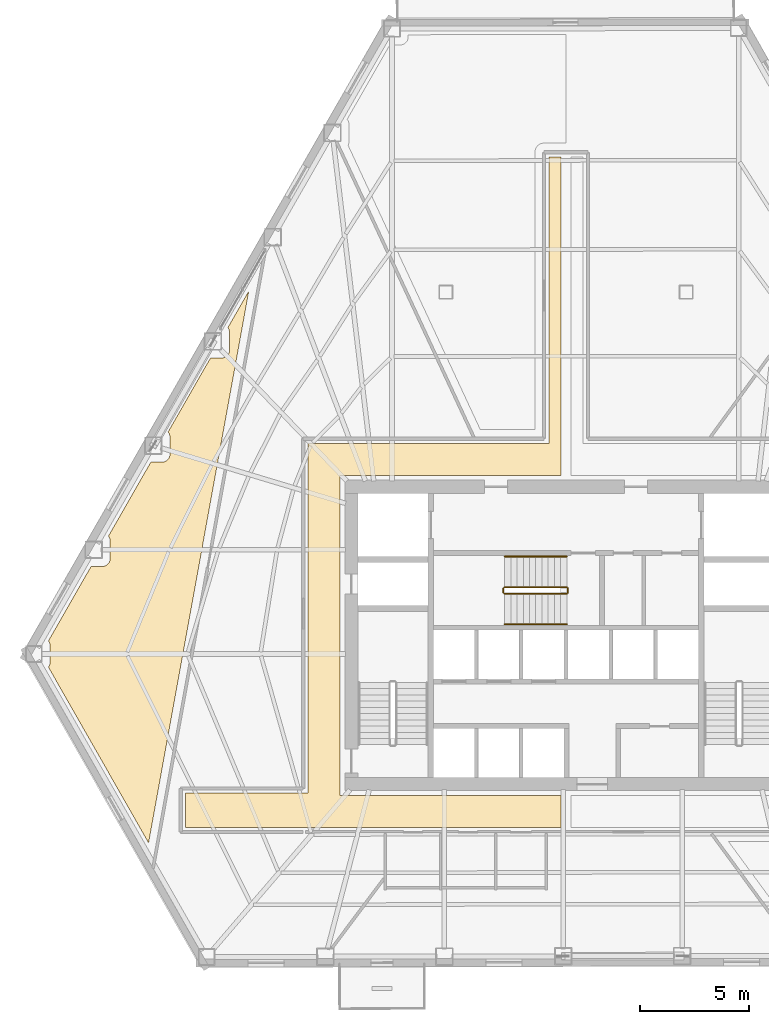
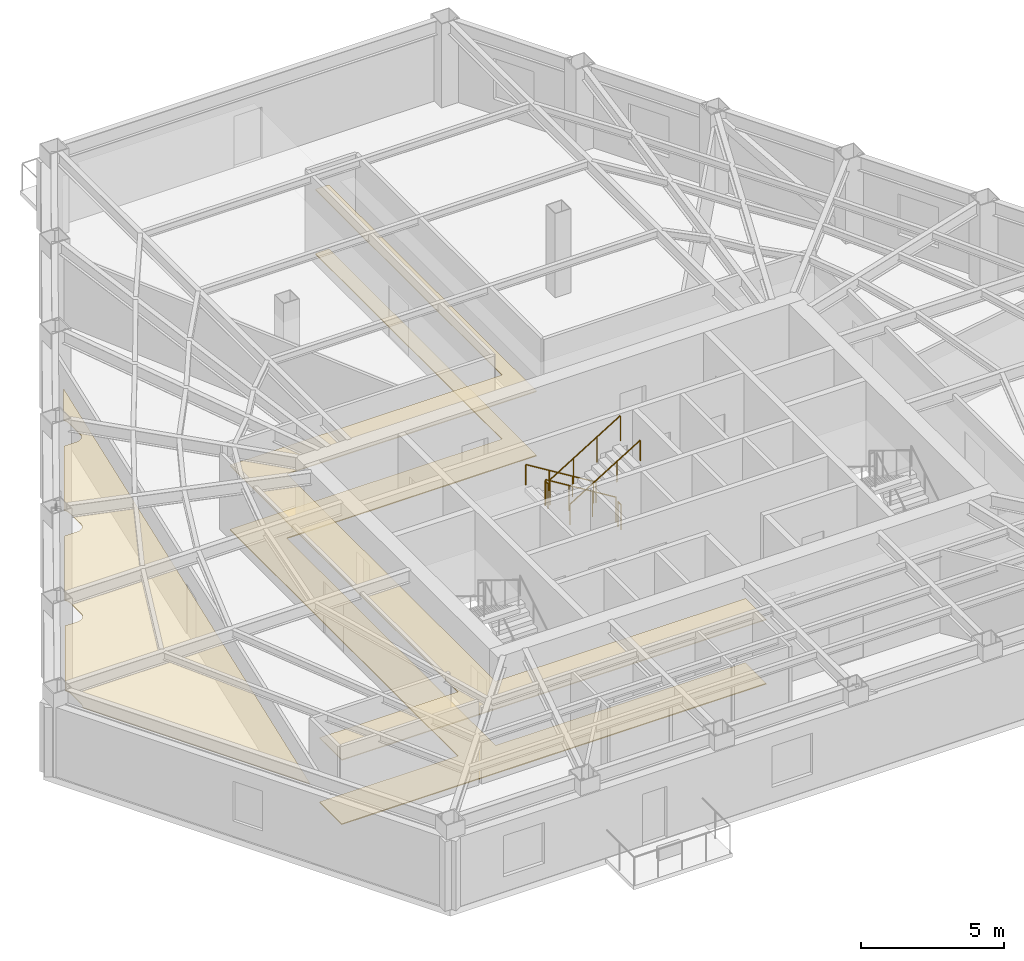
# One storey, part 12 of 14: 6 railings, 3 coverings.
"""IFC4 building model written with IfcOpenShell, lengths in metres."""

from ifc_helpers import new_model, si_unit, direction, frame, origin, origin_2d, place, context, subcontext, project, spatial, polyline, circle, outline, extrude, material, layer, layer_set, type_object, element, save


model = new_model("IFC4")

# Units and contexts
model_context = context("Model", 3, precision=1e-05, world=origin(), true_north=direction((0.0, 1.0)))
body_context = subcontext(model_context, "Body", "Model", "MODEL_VIEW")
ifc_project = project(units=[si_unit("LENGTHUNIT", "METRE"), si_unit("AREAUNIT", "SQUARE_METRE"), si_unit("VOLUMEUNIT", "CUBIC_METRE"), si_unit("PLANEANGLEUNIT", "RADIAN"), si_unit("MASSUNIT", "GRAM", prefix="KILO")], contexts=[model_context])

# Site, building, storey
site_placement = place(None, origin())
site = spatial("IfcSite", under=ifc_project, at=site_placement, CompositionType="ELEMENT")
building_placement = place(site_placement, origin())
building = spatial("IfcBuilding", under=site, at=building_placement, Name="Kavelnor Concourse Tower", CompositionType="ELEMENT")
storey_placement = place(building_placement, frame((0.0, 0.0, 17.550048828125)))
storey = spatial("IfcBuildingStorey", under=building, at=storey_placement, Name="L04", CompositionType="ELEMENT", Elevation=17.550048828125)

# Coverings
ifc_material_1 = material(Name="Mineral fibre acoustic ceiling tile")
ifc_layer_1 = layer(ifc_material_1, 0.0400390625, Name="Mineral fibre acoustic ceiling tile")
ifc_layer_set_1 = layer_set([ifc_layer_1], Name="Mineral fibre acoustic ceiling tile")
covering_type_1 = type_object("IfcCoveringType", Name="COV-CEILING-ACOUSTIC", PredefinedType="CEILING", material=ifc_layer_set_1)
covering_1_placement = place(storey_placement, frame((0.0, 0.0, 2.75)))
element("IfcCovering", 1, at=covering_1_placement, inside=storey, type_object=covering_type_1, Name="L04 Suspended Acoustic Ceiling", PredefinedType="CEILING", context=body_context, shape_type="SweptSolid", body=[
    extrude(outline(polyline([(37.219970703125, 37.97998046875), (37.77490234375, 37.97998046875), (37.77490234375, 23.419921875), (27.659912109375, 23.419921875), (27.659912109375, 8.780029296875), (37.77490234375, 8.780029296875), (37.77490234375, 7.320068359375), (20.593505859375, 7.320068359375), (20.593505859375, 8.8798828125), (26.199951171875, 8.8798828125), (26.199951171875, 24.8798828125), (37.219970703125, 24.8798828125), (37.219970703125, 37.97998046875)])), origin(), (0.0, 0.0, 1.0), 0.0400390625),
])
covering_2_placement = place(storey_placement, frame((0.0, 0.0, 2.75)))
element("IfcCovering", 2, at=covering_2_placement, inside=storey, type_object=covering_type_1, Name="L04 Suspended Acoustic Ceiling", PredefinedType="CEILING", context=body_context, shape_type="SweptSolid", body=[
    extrude(outline(polyline([(14.3369140625, 14.67041015625), (14.35498046875, 14.70068359375), (14.3701171875, 14.732666015625), (14.382080078125, 14.765869140625), (14.390625, 14.80029296875), (14.395751953125, 14.835205078125), (14.397216796875, 14.8623046875), (14.397216796875, 15.638916015625), (14.395751953125, 15.665771484375), (14.390625, 15.70068359375), (14.382080078125, 15.735107421875), (14.3701171875, 15.768310546875), (14.35498046875, 15.80029296875), (14.3369140625, 15.830810546875), (14.322998046875, 15.849609375), (16.275390625, 19.258056640625), (16.796142578125, 19.258056640625), (16.8232421875, 19.25927734375), (16.858154296875, 19.264404296875), (16.892578125, 19.273193359375), (16.92578125, 19.284912109375), (16.957763671875, 19.300048828125), (16.988037109375, 19.318359375), (17.0166015625, 19.33935546875), (17.042724609375, 19.36328125), (17.06640625, 19.389404296875), (17.087646484375, 19.417724609375), (17.105712890625, 19.447998046875), (17.120849609375, 19.47998046875), (17.1328125, 19.513427734375), (17.141357421875, 19.547607421875), (17.146484375, 19.582763671875), (17.14794921875, 19.609619140625), (17.14794921875, 20.42626953125), (17.146484375, 20.453369140625), (17.141357421875, 20.48828125), (17.1328125, 20.522705078125), (17.120849609375, 20.555908203125), (17.105712890625, 20.587890625), (17.087646484375, 20.6181640625), (17.06884765625, 20.6435546875), (19.006103515625, 24.025390625), (19.527099609375, 24.025390625), (19.553955078125, 24.02685546875), (19.589111328125, 24.031982421875), (19.623291015625, 24.04052734375), (19.656494140625, 24.052490234375), (19.688720703125, 24.067626953125), (19.718994140625, 24.085693359375), (19.747314453125, 24.10693359375), (19.7734375, 24.130615234375), (19.79736328125, 24.156982421875), (19.818359375, 24.185302734375), (19.836669921875, 24.215576171875), (19.851806640625, 24.24755859375), (19.863525390625, 24.281005859375), (19.872314453125, 24.315185546875), (19.87744140625, 24.35009765625), (19.878662109375, 24.377197265625), (19.878662109375, 25.19384765625), (19.87744140625, 25.220703125), (19.872314453125, 25.255859375), (19.863525390625, 25.2900390625), (19.851806640625, 25.323486328125), (19.836669921875, 25.35546875), (19.818359375, 25.3857421875), (19.799560546875, 25.410888671875), (21.73681640625, 28.79296875), (22.2578125, 28.79296875), (22.28466796875, 28.794189453125), (22.319580078125, 28.799560546875), (22.35400390625, 28.80810546875), (22.38720703125, 28.820068359375), (22.419189453125, 28.835205078125), (22.44970703125, 28.853271484375), (22.47802734375, 28.87451171875), (22.504150390625, 28.898193359375), (22.528076171875, 28.92431640625), (22.549072265625, 28.952880859375), (22.5673828125, 28.983154296875), (22.58251953125, 29.01513671875), (22.59423828125, 29.04833984375), (22.602783203125, 29.082763671875), (22.608154296875, 29.11767578125), (22.609375, 29.144775390625), (22.609375, 29.961181640625), (22.608154296875, 29.98828125), (22.602783203125, 30.023193359375), (22.59423828125, 30.0576171875), (22.58251953125, 30.0908203125), (22.5673828125, 30.122802734375), (22.549072265625, 30.1533203125), (22.530517578125, 30.178466796875), (23.487548828125, 31.849609375), (18.903564453125, 6.6103515625), (14.32177734375, 14.64990234375), (14.3369140625, 14.67041015625)])), origin(), (0.0, 0.0, 1.0), 0.0400390625),
])
ifc_material_2 = material(Name="Honed bluestone and raised access floor finish", Category="masonry")
ifc_layer_2 = layer(ifc_material_2, 0.0400390625, Name="Honed bluestone and raised access floor finish")
ifc_layer_set_2 = layer_set([ifc_layer_2], Name="Honed bluestone and raised access floor finish")
covering_type_2 = type_object("IfcCoveringType", Name="COV-FLOOR-STONE", PredefinedType="FLOORING", material=ifc_layer_set_2)
covering_3_placement = place(storey_placement, frame((0.0, 0.0, 0.001953125)))
element("IfcCovering", 3, at=covering_3_placement, inside=storey, type_object=covering_type_2, Name="L04 Honed Bluestone Floor Finish", PredefinedType="FLOORING", context=body_context, shape_type="SweptSolid", body=[
    extrude(outline(polyline([(37.219970703125, 37.97998046875), (37.77490234375, 37.97998046875), (37.77490234375, 23.419921875), (27.659912109375, 23.419921875), (27.659912109375, 8.780029296875), (37.77490234375, 8.780029296875), (37.77490234375, 7.320068359375), (20.593505859375, 7.320068359375), (20.593505859375, 8.8798828125), (26.199951171875, 8.8798828125), (26.199951171875, 24.8798828125), (37.219970703125, 24.8798828125), (37.219970703125, 37.97998046875)])), origin(), (0.0, 0.0, 1.0), 0.0400390625),
])

# Railings
ifc_material_3 = material(Name="Steel Grade 350", Category="steel")
railing_type_1 = type_object("IfcRailingType", Name="RLG-GUARD-1100", PredefinedType="GUARDRAIL", material=ifc_material_3)
railing_1_placement = place(storey_placement, frame((38.0400390625, 18.31005859375, 0.175048828125)))
element("IfcRailing", 4, at=railing_1_placement, inside=storey, type_object=railing_type_1, Name="L04 ST3 stair guard 1", PredefinedType="GUARDRAIL", context=body_context, shape_type="SweptSolid", body=[
    extrude(circle(Radius=0.02392578125, at=origin_2d()), frame((0.0, 0.0, 1.076171875), z_axis=(-0.852179220489, 0.0, 0.52325001306), x_axis=(0.0, -1.0, 0.0)), (0.0, 0.0, 1.0), 3.344482421875),
    extrude(circle(Radius=0.02099609375, at=origin_2d()), origin(), (0.0, 0.0, 1.0), 1.052001953125),
    extrude(circle(Radius=0.02099609375, at=origin_2d()), frame((-0.949951171875, 0.0, 0.583251953125)), (0.0, 0.0, 1.0), 1.052001953125),
    extrude(circle(Radius=0.02099609375, at=origin_2d()), frame((-1.900146484375, 0.0, 1.166748046875)), (0.0, 0.0, 1.0), 1.052001953125),
    extrude(circle(Radius=0.02099609375, at=origin_2d()), frame((-2.85009765625, 0.0, 1.75)), (0.0, 0.0, 1.0), 1.052001953125),
])
railing_2_placement = place(storey_placement, frame((35.139892578125, 18.260009765625, 1.925048828125)))
element("IfcRailing", 5, at=railing_2_placement, inside=storey, type_object=railing_type_1, Name="L04 ST3 stair guard 2", PredefinedType="GUARDRAIL", context=body_context, shape_type="SweptSolid", body=[
    extrude(circle(Radius=0.02392578125, at=origin_2d()), frame((0.0, 0.0, 1.076171875), z_axis=(0.0, -1.0, 0.0), x_axis=(1.0, 0.0, 0.0)), (0.0, 0.0, 1.0), 0.199951171875),
    extrude(circle(Radius=0.02099609375, at=origin_2d()), origin(), (0.0, 0.0, 1.0), 1.052001953125),
    extrude(circle(Radius=0.02099609375, at=origin_2d()), frame((0.0, -0.199951171875, 0.0)), (0.0, 0.0, 1.0), 1.052001953125),
])
railing_3_placement = place(storey_placement, frame((35.18994140625, 18.010009765625, 2.099853515625)))
element("IfcRailing", 6, at=railing_3_placement, inside=storey, type_object=railing_type_1, Name="L04 ST3 stair guard 3", PredefinedType="GUARDRAIL", context=body_context, shape_type="SweptSolid", body=[
    extrude(circle(Radius=0.02392578125, at=origin_2d()), frame((0.0, 0.0, 1.076171875), z_axis=(0.852179220489, 0.0, 0.52325001306), x_axis=(0.0, 1.0, 0.0)), (0.0, 0.0, 1.0), 3.344482421875),
    extrude(circle(Radius=0.02099609375, at=origin_2d()), origin(), (0.0, 0.0, 1.0), 1.052001953125),
    extrude(circle(Radius=0.02099609375, at=origin_2d()), frame((0.949951171875, 0.0, 0.583251953125)), (0.0, 0.0, 1.0), 1.052001953125),
    extrude(circle(Radius=0.02099609375, at=origin_2d()), frame((1.900146484375, 0.0, 1.166748046875)), (0.0, 0.0, 1.0), 1.052001953125),
    extrude(circle(Radius=0.02099609375, at=origin_2d()), frame((2.85009765625, 0.0, 1.75)), (0.0, 0.0, 1.0), 1.052001953125),
])
railing_4_placement = place(storey_placement, frame((38.090087890625, 18.260009765625, 0.0)))
element("IfcRailing", 7, at=railing_4_placement, inside=storey, type_object=railing_type_1, Name="L04 ST3 stair guard 4", PredefinedType="GUARDRAIL", context=body_context, shape_type="SweptSolid", body=[
    extrude(circle(Radius=0.02392578125, at=origin_2d()), frame((0.0, 0.0, 1.076171875), z_axis=(0.0, -1.0, 0.0), x_axis=(1.0, 0.0, 0.0)), (0.0, 0.0, 1.0), 0.199951171875),
    extrude(circle(Radius=0.02099609375, at=origin_2d()), origin(), (0.0, 0.0, 1.0), 1.052001953125),
    extrude(circle(Radius=0.02099609375, at=origin_2d()), frame((0.0, -0.199951171875, 0.0)), (0.0, 0.0, 1.0), 1.052001953125),
])
railing_type_2 = type_object("IfcRailingType", Name="RLG-HANDRAIL-900", PredefinedType="HANDRAIL", material=ifc_material_3)
railing_5_placement = place(storey_placement, frame((38.0400390625, 19.7099609375, 0.175048828125)))
element("IfcRailing", 8, at=railing_5_placement, inside=storey, type_object=railing_type_2, Name="L04 ST3 stair handrail 1", PredefinedType="HANDRAIL", context=body_context, shape_type="SweptSolid", body=[
    extrude(circle(Radius=0.02392578125, at=origin_2d()), frame((0.0, 0.0, 0.8759765625), z_axis=(-0.852179220489, 0.0, 0.52325001306), x_axis=(0.0, -1.0, 0.0)), (0.0, 0.0, 1.0), 3.344482421875),
    extrude(circle(Radius=0.02099609375, at=origin_2d()), origin(), (0.0, 0.0, 1.0), 0.851806640625),
    extrude(circle(Radius=0.02099609375, at=origin_2d()), frame((-0.949951171875, 0.0, 0.583251953125)), (0.0, 0.0, 1.0), 0.851806640625),
    extrude(circle(Radius=0.02099609375, at=origin_2d()), frame((-1.900146484375, 0.0, 1.166748046875)), (0.0, 0.0, 1.0), 0.851806640625),
    extrude(circle(Radius=0.02099609375, at=origin_2d()), frame((-2.85009765625, 0.0, 1.75)), (0.0, 0.0, 1.0), 0.851806640625),
])
railing_6_placement = place(storey_placement, frame((35.18994140625, 16.610107421875, 2.099853515625)))
element("IfcRailing", 9, at=railing_6_placement, inside=storey, type_object=railing_type_2, Name="L04 ST3 stair handrail 2", PredefinedType="HANDRAIL", context=body_context, shape_type="SweptSolid", body=[
    extrude(circle(Radius=0.02392578125, at=origin_2d()), frame((0.0, 0.0, 0.8759765625), z_axis=(0.852179220489, 0.0, 0.52325001306), x_axis=(0.0, 1.0, 0.0)), (0.0, 0.0, 1.0), 3.344482421875),
    extrude(circle(Radius=0.02099609375, at=origin_2d()), origin(), (0.0, 0.0, 1.0), 0.851806640625),
    extrude(circle(Radius=0.02099609375, at=origin_2d()), frame((0.949951171875, 0.0, 0.583251953125)), (0.0, 0.0, 1.0), 0.851806640625),
    extrude(circle(Radius=0.02099609375, at=origin_2d()), frame((1.900146484375, 0.0, 1.166748046875)), (0.0, 0.0, 1.0), 0.851806640625),
    extrude(circle(Radius=0.02099609375, at=origin_2d()), frame((2.85009765625, 0.0, 1.75)), (0.0, 0.0, 1.0), 0.851806640625),
])

save(model, "model.ifc")
